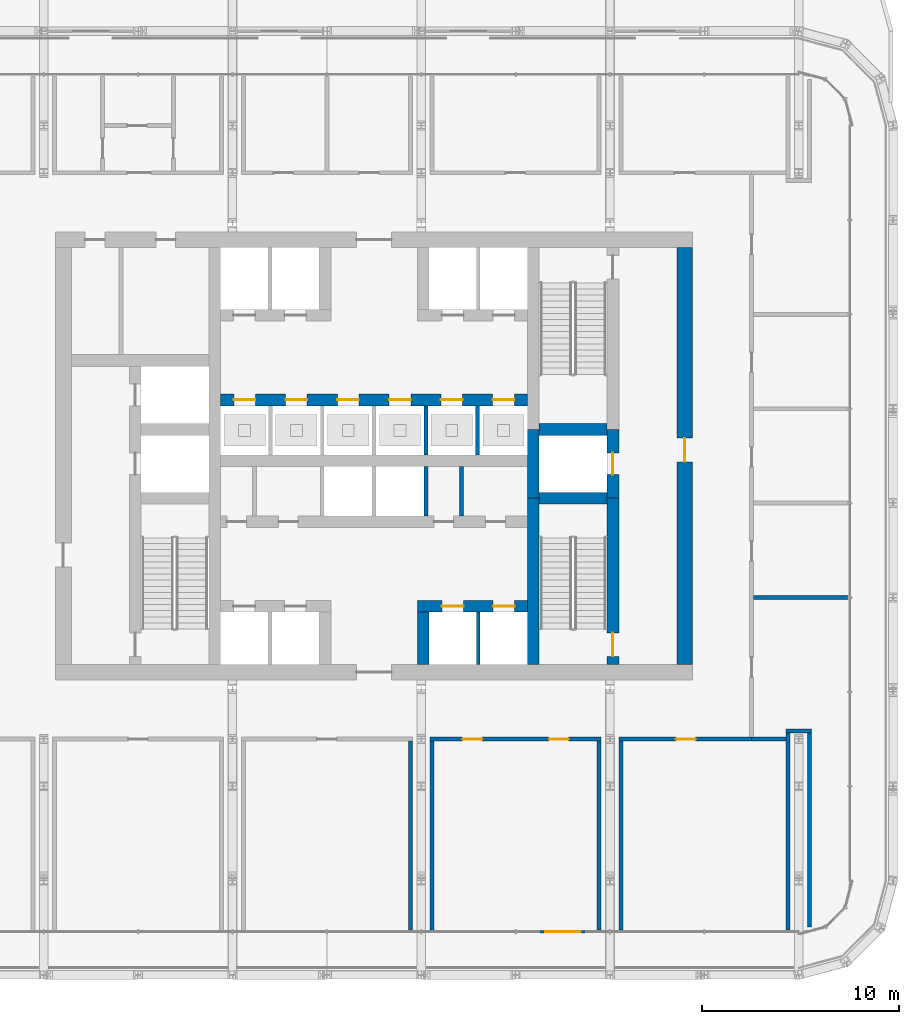
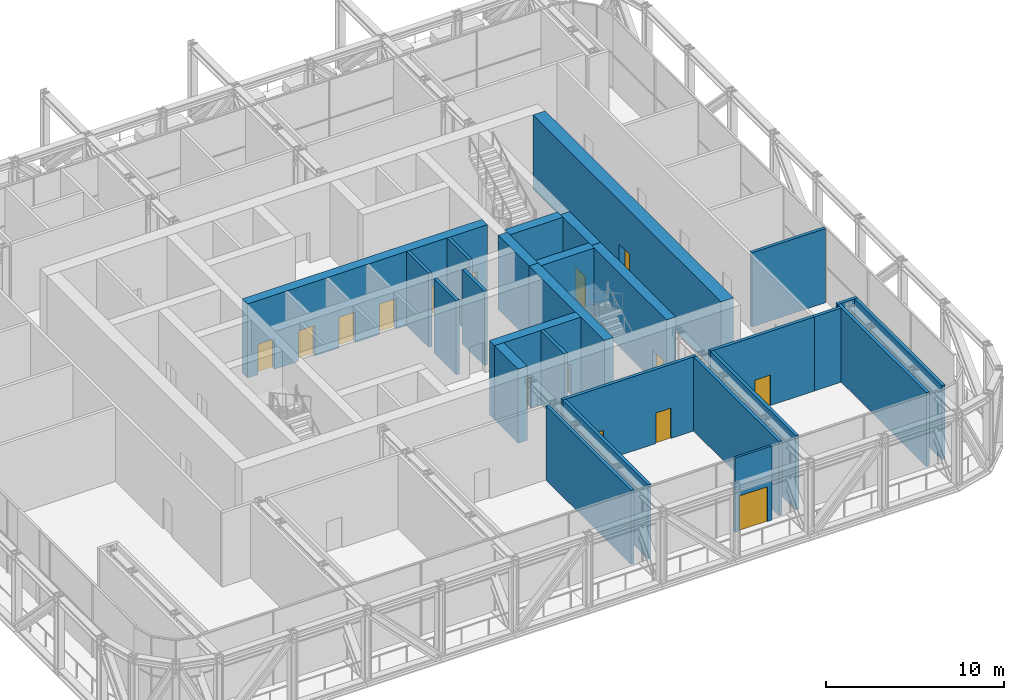
# One storey, part 17 of 27: 27 walls, 15 doors, 15 openings.
"""IFC4 building model written with IfcOpenShell, lengths in metres."""

from ifc_helpers import new_model, si_unit, direction, frame, frame_2d, origin, place, context, subcontext, project, spatial, rectangle, extrude, material, layer, layer_set, type_object, element, fill, save


model = new_model("IFC4")

# Units and contexts
model_context = context("Model", 3, precision=1e-05, world=origin(), true_north=direction((0.0, 1.0)))
body_context = subcontext(model_context, "Body", "Model", "MODEL_VIEW")
ifc_project = project(units=[si_unit("LENGTHUNIT", "METRE"), si_unit("AREAUNIT", "SQUARE_METRE"), si_unit("VOLUMEUNIT", "CUBIC_METRE"), si_unit("PLANEANGLEUNIT", "RADIAN"), si_unit("MASSUNIT", "GRAM", prefix="KILO")], contexts=[model_context])

# Site, building, storey
site_placement = place(None, origin())
site = spatial("IfcSite", under=ifc_project, at=site_placement, CompositionType="ELEMENT")
building_placement = place(site_placement, origin())
building = spatial("IfcBuilding", under=site, at=building_placement, Name="Madar Terraces", CompositionType="ELEMENT")
storey_placement = place(building_placement, frame((0.0, 0.0, 143.60009765625)))
storey = spatial("IfcBuildingStorey", under=building, at=storey_placement, Name="L37", CompositionType="ELEMENT", Elevation=143.60009765625)

# Walls
ifc_material_1 = material(Name="Concrete C70/85", Category="concrete")
ifc_layer_1 = layer(ifc_material_1, 0.60009765625)
ifc_layer_set_1 = layer_set([ifc_layer_1], Name="Concrete C70/85 (CIW3 RC wall 600)")
wall_type_1 = type_object("IfcWallType", Name="CIW3 RC wall 600", PredefinedType="SHEAR", material=ifc_layer_set_1)
wall_1_placement = place(storey_placement, frame((39.300048828125, 15.800048828125, 0.0), z_axis=(0.0, 0.0, 1.0), x_axis=(0.0, 1.0, 0.0)))
element("IfcWall", 1, at=wall_1_placement, inside=storey, type_object=wall_type_1, Name="CORE SHAFT WALL", PredefinedType="SHEAR", context=body_context, shape_type="SweptSolid", body=[
    extrude(rectangle(XDim=8.449951171875, YDim=0.60009765625, at=frame_2d((4.22509765625, 0.0))), origin(), (0.0, 0.0, 1.0), 5.099853515625),
])
wall_2_placement = place(storey_placement, frame((39.300048828125, 24.25, 0.0), z_axis=(0.0, 0.0, 1.0), x_axis=(0.0, 1.0, 0.0)))
element("IfcWall", 2, at=wall_2_placement, inside=storey, type_object=wall_type_1, Name="CORE SHAFT WALL", PredefinedType="SHEAR", context=body_context, shape_type="SweptSolid", body=[
    extrude(rectangle(XDim=3.5, YDim=0.60009765625, at=frame_2d((1.75, 0.0))), origin(), (0.0, 0.0, 1.0), 5.099853515625),
])

# Wall, opening, door
wall_3_placement = place(storey_placement, frame((43.35009765625, 15.800048828125, 0.0), z_axis=(0.0, 0.0, 1.0), x_axis=(0.0, 1.0, 0.0)))
wall_3 = element("IfcWall", 3, at=wall_3_placement, inside=storey, type_object=wall_type_1, Name="CORE SHAFT WALL", PredefinedType="SHEAR", context=body_context, shape_type="SweptSolid", body=[
    extrude(rectangle(XDim=8.449951171875, YDim=0.60009765625, at=frame_2d((4.22509765625, 0.0))), origin(), (0.0, 0.0, 1.0), 5.099853515625),
])
opening_1_placement = place(wall_3_placement, frame((0.39990234375, 0.0, 0.0)))
opening_1 = element("IfcOpeningElement", 4, at=opening_1_placement, cuts=wall_3, Name="Opening SD1", PredefinedType="OPENING", context=body_context, shape_type="SweptSolid", body=[
    extrude(rectangle(XDim=1.199951171875, YDim=2.10009765625, at=frame_2d((0.60009765625, 1.050048828125))), frame((0.0, 0.31005859375, 0.0), z_axis=(0.0, -1.0, 0.0), x_axis=(1.0, 0.0, 0.0)), (0.0, 0.0, 1.0), 0.6201171875),
])
ifc_material_2 = material(Name="Steel door leaf", Category="steel")
door_type_1 = type_object("IfcDoorType", Name="Stair door 1200 x 2100", OperationType="NOTDEFINED", PredefinedType="DOOR", material=ifc_material_2)
door_1_placement = place(opening_1_placement, origin())
door_1 = element("IfcDoor", 5, at=door_1_placement, inside=storey, type_object=door_type_1, Name="STAIR DOOR", OperationType="SINGLE_SWING_RIGHT", OverallHeight=2.10009765625, OverallWidth=1.199951171875, PredefinedType="DOOR", context=body_context, shape_type="SweptSolid", body=[
    extrude(rectangle(XDim=1.199951171875, YDim=2.10009765625, at=frame_2d((0.60009765625, 1.050048828125))), frame((0.0, 0.02490234375, 0.0), z_axis=(0.0, -1.0, 0.0), x_axis=(1.0, 0.0, 0.0)), (0.0, 0.0, 1.0), 0.050048828125),
])
fill(opening_1, door_1)

wall_4_placement = place(storey_placement, frame((43.35009765625, 24.25, 0.0), z_axis=(0.0, 0.0, 1.0), x_axis=(0.0, 1.0, 0.0)))
wall_4 = element("IfcWall", 6, at=wall_4_placement, inside=storey, type_object=wall_type_1, Name="CORE SHAFT WALL", PredefinedType="SHEAR", context=body_context, shape_type="SweptSolid", body=[
    extrude(rectangle(XDim=3.5, YDim=0.60009765625, at=frame_2d((1.75, 0.0))), origin(), (0.0, 0.0, 1.0), 5.099853515625),
])
opening_2_placement = place(wall_4_placement, frame((1.199951171875, 0.0, 0.0)))
opening_2 = element("IfcOpeningElement", 7, at=opening_2_placement, cuts=wall_4, Name="Opening LD", PredefinedType="OPENING", context=body_context, shape_type="SweptSolid", body=[
    extrude(rectangle(XDim=1.10009765625, YDim=2.10009765625, at=frame_2d((0.550048828125, 1.050048828125))), frame((0.0, 0.31005859375, 0.0), z_axis=(0.0, -1.0, 0.0), x_axis=(1.0, 0.0, 0.0)), (0.0, 0.0, 1.0), 0.6201171875),
])
ifc_material_3 = material(Name="Stainless steel panel", Category="steel")
door_type_2 = type_object("IfcDoorType", Name="Lift landing door 1100 x 2100", OperationType="DOUBLE_DOOR_SLIDING", PredefinedType="DOOR", material=ifc_material_3)
door_2_placement = place(opening_2_placement, origin())
door_2 = element("IfcDoor", 8, at=door_2_placement, inside=storey, type_object=door_type_2, Name="LIFT LANDING DOOR", OperationType="DOUBLE_DOOR_SLIDING", OverallHeight=2.10009765625, OverallWidth=1.10009765625, PredefinedType="DOOR", context=body_context, shape_type="SweptSolid", body=[
    extrude(rectangle(XDim=1.10009765625, YDim=2.10009765625, at=frame_2d((0.550048828125, 1.050048828125))), frame((0.0, 0.02490234375, 0.0), z_axis=(0.0, -1.0, 0.0), x_axis=(1.0, 0.0, 0.0)), (0.0, 0.0, 1.0), 0.050048828125),
])
fill(opening_2, door_2)

# Walls
for number, where, z_axis, x_axis, name in (
    (9, (39.60009765625, 24.25, 0.0), (0.0, 0.0, 1.0), (1.0, 0.0, 0.0), "CORE SHAFT WALL"),
    (10, (39.60009765625, 27.75, 0.0), (0.0, 0.0, 1.0), (1.0, 0.0, 0.0), "CORE SHAFT WALL"),
):
    element("IfcWall", number, at=place(storey_placement, frame(where, z_axis=z_axis, x_axis=x_axis)), inside=storey, type_object=wall_type_1, Name=name, PredefinedType="SHEAR", context=body_context, shape_type="SweptSolid", body=[
        extrude(rectangle(XDim=3.449951171875, YDim=0.60009765625, at=frame_2d((1.72509765625, 0.0))), origin(), (0.0, 0.0, 1.0), 5.099853515625),
    ])

# Wall, openings, doors
wall_5_placement = place(storey_placement, frame((33.39990234375, 18.75, 0.0), z_axis=(0.0, 0.0, 1.0), x_axis=(1.0, 0.0, 0.0)))
wall_5 = element("IfcWall", 11, at=wall_5_placement, inside=storey, type_object=wall_type_1, Name="CORE SHAFT WALL", PredefinedType="SHEAR", context=body_context, shape_type="SweptSolid", body=[
    extrude(rectangle(XDim=5.60009765625, YDim=0.60009765625, at=frame_2d((2.800048828125, 0.0))), origin(), (0.0, 0.0, 1.0), 5.099853515625),
])
opening_3_placement = place(wall_5_placement, frame((1.25, 0.0, 0.0)))
opening_3 = element("IfcOpeningElement", 12, at=opening_3_placement, cuts=wall_5, Name="Opening LD", PredefinedType="OPENING", context=body_context, shape_type="SweptSolid", body=[
    extrude(rectangle(XDim=1.10009765625, YDim=2.10009765625, at=frame_2d((0.550048828125, 1.050048828125))), frame((0.0, 0.31005859375, 0.0), z_axis=(0.0, -1.0, 0.0), x_axis=(1.0, 0.0, 0.0)), (0.0, 0.0, 1.0), 0.6201171875),
])
opening_4_placement = place(wall_5_placement, frame((3.85009765625, 0.0, 0.0)))
opening_4 = element("IfcOpeningElement", 13, at=opening_4_placement, cuts=wall_5, Name="Opening LD", PredefinedType="OPENING", context=body_context, shape_type="SweptSolid", body=[
    extrude(rectangle(XDim=1.10009765625, YDim=2.10009765625, at=frame_2d((0.550048828125, 1.050048828125))), frame((0.0, 0.31005859375, 0.0), z_axis=(0.0, -1.0, 0.0), x_axis=(1.0, 0.0, 0.0)), (0.0, 0.0, 1.0), 0.6201171875),
])
door_3_placement = place(opening_3_placement, origin())
door_3 = element("IfcDoor", 14, at=door_3_placement, inside=storey, type_object=door_type_2, Name="LIFT LANDING DOOR", OperationType="DOUBLE_DOOR_SLIDING", OverallHeight=2.10009765625, OverallWidth=1.10009765625, PredefinedType="DOOR", context=body_context, shape_type="SweptSolid", body=[
    extrude(rectangle(XDim=1.10009765625, YDim=2.10009765625, at=frame_2d((0.550048828125, 1.050048828125))), frame((0.0, 0.02490234375, 0.0), z_axis=(0.0, -1.0, 0.0), x_axis=(1.0, 0.0, 0.0)), (0.0, 0.0, 1.0), 0.050048828125),
])
fill(opening_3, door_3)
door_4_placement = place(opening_4_placement, origin())
door_4 = element("IfcDoor", 15, at=door_4_placement, inside=storey, type_object=door_type_2, Name="LIFT LANDING DOOR", OperationType="DOUBLE_DOOR_SLIDING", OverallHeight=2.10009765625, OverallWidth=1.10009765625, PredefinedType="DOOR", context=body_context, shape_type="SweptSolid", body=[
    extrude(rectangle(XDim=1.10009765625, YDim=2.10009765625, at=frame_2d((0.550048828125, 1.050048828125))), frame((0.0, 0.02490234375, 0.0), z_axis=(0.0, -1.0, 0.0), x_axis=(1.0, 0.0, 0.0)), (0.0, 0.0, 1.0), 0.050048828125),
])
fill(opening_4, door_4)

wall_6_placement = place(storey_placement, frame((23.39990234375, 29.25, 0.0), z_axis=(0.0, 0.0, 1.0), x_axis=(1.0, 0.0, 0.0)))
wall_6 = element("IfcWall", 16, at=wall_6_placement, inside=storey, type_object=wall_type_1, Name="CORE SHAFT WALL", PredefinedType="SHEAR", context=body_context, shape_type="SweptSolid", body=[
    extrude(rectangle(XDim=15.60009765625, YDim=0.60009765625, at=frame_2d((7.800048828125, 0.0))), origin(), (0.0, 0.0, 1.0), 5.099853515625),
])
opening_5_placement = place(wall_6_placement, frame((0.666748046875, 0.0, 0.0)))
opening_5 = element("IfcOpeningElement", 17, at=opening_5_placement, cuts=wall_6, Name="Opening LD", PredefinedType="OPENING", context=body_context, shape_type="SweptSolid", body=[
    extrude(rectangle(XDim=1.10009765625, YDim=2.10009765625, at=frame_2d((0.550048828125, 1.050048828125))), frame((0.0, 0.31005859375, 0.0), z_axis=(0.0, -1.0, 0.0), x_axis=(1.0, 0.0, 0.0)), (0.0, 0.0, 1.0), 0.6201171875),
])
opening_6_placement = place(wall_6_placement, frame((3.300048828125, 0.0, 0.0)))
opening_6 = element("IfcOpeningElement", 18, at=opening_6_placement, cuts=wall_6, Name="Opening LD", PredefinedType="OPENING", context=body_context, shape_type="SweptSolid", body=[
    extrude(rectangle(XDim=1.10009765625, YDim=2.10009765625, at=frame_2d((0.550048828125, 1.050048828125))), frame((0.0, 0.31005859375, 0.0), z_axis=(0.0, -1.0, 0.0), x_axis=(1.0, 0.0, 0.0)), (0.0, 0.0, 1.0), 0.6201171875),
])
opening_7_placement = place(wall_6_placement, frame((5.933349609375, 0.0, 0.0)))
opening_7 = element("IfcOpeningElement", 19, at=opening_7_placement, cuts=wall_6, Name="Opening LD", PredefinedType="OPENING", context=body_context, shape_type="SweptSolid", body=[
    extrude(rectangle(XDim=1.10009765625, YDim=2.10009765625, at=frame_2d((0.550048828125, 1.050048828125))), frame((0.0, 0.31005859375, 0.0), z_axis=(0.0, -1.0, 0.0), x_axis=(1.0, 0.0, 0.0)), (0.0, 0.0, 1.0), 0.6201171875),
])
opening_8_placement = place(wall_6_placement, frame((8.566650390625, 0.0, 0.0)))
opening_8 = element("IfcOpeningElement", 20, at=opening_8_placement, cuts=wall_6, Name="Opening LD", PredefinedType="OPENING", context=body_context, shape_type="SweptSolid", body=[
    extrude(rectangle(XDim=1.10009765625, YDim=2.10009765625, at=frame_2d((0.550048828125, 1.050048828125))), frame((0.0, 0.31005859375, 0.0), z_axis=(0.0, -1.0, 0.0), x_axis=(1.0, 0.0, 0.0)), (0.0, 0.0, 1.0), 0.6201171875),
])
opening_9_placement = place(wall_6_placement, frame((11.199951171875, 0.0, 0.0)))
opening_9 = element("IfcOpeningElement", 21, at=opening_9_placement, cuts=wall_6, Name="Opening LD", PredefinedType="OPENING", context=body_context, shape_type="SweptSolid", body=[
    extrude(rectangle(XDim=1.10009765625, YDim=2.10009765625, at=frame_2d((0.550048828125, 1.050048828125))), frame((0.0, 0.31005859375, 0.0), z_axis=(0.0, -1.0, 0.0), x_axis=(1.0, 0.0, 0.0)), (0.0, 0.0, 1.0), 0.6201171875),
])
opening_10_placement = place(wall_6_placement, frame((13.833251953125, 0.0, 0.0)))
opening_10 = element("IfcOpeningElement", 22, at=opening_10_placement, cuts=wall_6, Name="Opening LD", PredefinedType="OPENING", context=body_context, shape_type="SweptSolid", body=[
    extrude(rectangle(XDim=1.10009765625, YDim=2.10009765625, at=frame_2d((0.550048828125, 1.050048828125))), frame((0.0, 0.31005859375, 0.0), z_axis=(0.0, -1.0, 0.0), x_axis=(1.0, 0.0, 0.0)), (0.0, 0.0, 1.0), 0.6201171875),
])
door_5_placement = place(opening_5_placement, origin())
door_5 = element("IfcDoor", 23, at=door_5_placement, inside=storey, type_object=door_type_2, Name="LIFT LANDING DOOR", OperationType="DOUBLE_DOOR_SLIDING", OverallHeight=2.10009765625, OverallWidth=1.10009765625, PredefinedType="DOOR", context=body_context, shape_type="SweptSolid", body=[
    extrude(rectangle(XDim=1.10009765625, YDim=2.10009765625, at=frame_2d((0.550048828125, 1.050048828125))), frame((0.0, 0.02490234375, 0.0), z_axis=(0.0, -1.0, 0.0), x_axis=(1.0, 0.0, 0.0)), (0.0, 0.0, 1.0), 0.050048828125),
])
fill(opening_5, door_5)
door_6_placement = place(opening_6_placement, origin())
door_6 = element("IfcDoor", 24, at=door_6_placement, inside=storey, type_object=door_type_2, Name="LIFT LANDING DOOR", OperationType="DOUBLE_DOOR_SLIDING", OverallHeight=2.10009765625, OverallWidth=1.10009765625, PredefinedType="DOOR", context=body_context, shape_type="SweptSolid", body=[
    extrude(rectangle(XDim=1.10009765625, YDim=2.10009765625, at=frame_2d((0.550048828125, 1.050048828125))), frame((0.0, 0.02490234375, 0.0), z_axis=(0.0, -1.0, 0.0), x_axis=(1.0, 0.0, 0.0)), (0.0, 0.0, 1.0), 0.050048828125),
])
fill(opening_6, door_6)
door_7_placement = place(opening_7_placement, origin())
door_7 = element("IfcDoor", 25, at=door_7_placement, inside=storey, type_object=door_type_2, Name="LIFT LANDING DOOR", OperationType="DOUBLE_DOOR_SLIDING", OverallHeight=2.10009765625, OverallWidth=1.10009765625, PredefinedType="DOOR", context=body_context, shape_type="SweptSolid", body=[
    extrude(rectangle(XDim=1.10009765625, YDim=2.10009765625, at=frame_2d((0.550048828125, 1.050048828125))), frame((0.0, 0.02490234375, 0.0), z_axis=(0.0, -1.0, 0.0), x_axis=(1.0, 0.0, 0.0)), (0.0, 0.0, 1.0), 0.050048828125),
])
fill(opening_7, door_7)
door_8_placement = place(opening_8_placement, origin())
door_8 = element("IfcDoor", 26, at=door_8_placement, inside=storey, type_object=door_type_2, Name="LIFT LANDING DOOR", OperationType="DOUBLE_DOOR_SLIDING", OverallHeight=2.10009765625, OverallWidth=1.10009765625, PredefinedType="DOOR", context=body_context, shape_type="SweptSolid", body=[
    extrude(rectangle(XDim=1.10009765625, YDim=2.10009765625, at=frame_2d((0.550048828125, 1.050048828125))), frame((0.0, 0.02490234375, 0.0), z_axis=(0.0, -1.0, 0.0), x_axis=(1.0, 0.0, 0.0)), (0.0, 0.0, 1.0), 0.050048828125),
])
fill(opening_8, door_8)
door_9_placement = place(opening_9_placement, origin())
door_9 = element("IfcDoor", 27, at=door_9_placement, inside=storey, type_object=door_type_2, Name="LIFT LANDING DOOR", OperationType="DOUBLE_DOOR_SLIDING", OverallHeight=2.10009765625, OverallWidth=1.10009765625, PredefinedType="DOOR", context=body_context, shape_type="SweptSolid", body=[
    extrude(rectangle(XDim=1.10009765625, YDim=2.10009765625, at=frame_2d((0.550048828125, 1.050048828125))), frame((0.0, 0.02490234375, 0.0), z_axis=(0.0, -1.0, 0.0), x_axis=(1.0, 0.0, 0.0)), (0.0, 0.0, 1.0), 0.050048828125),
])
fill(opening_9, door_9)
door_10_placement = place(opening_10_placement, origin())
door_10 = element("IfcDoor", 28, at=door_10_placement, inside=storey, type_object=door_type_2, Name="LIFT LANDING DOOR", OperationType="DOUBLE_DOOR_SLIDING", OverallHeight=2.10009765625, OverallWidth=1.10009765625, PredefinedType="DOOR", context=body_context, shape_type="SweptSolid", body=[
    extrude(rectangle(XDim=1.10009765625, YDim=2.10009765625, at=frame_2d((0.550048828125, 1.050048828125))), frame((0.0, 0.02490234375, 0.0), z_axis=(0.0, -1.0, 0.0), x_axis=(1.0, 0.0, 0.0)), (0.0, 0.0, 1.0), 0.050048828125),
])
fill(opening_10, door_10)

# Wall
wall_7_placement = place(storey_placement, frame((33.699951171875, 15.800048828125, 0.0), z_axis=(0.0, 0.0, 1.0), x_axis=(0.0, 1.0, 0.0)))
element("IfcWall", 29, at=wall_7_placement, inside=storey, type_object=wall_type_1, Name="CORE SHAFT WALL", PredefinedType="SHEAR", context=body_context, shape_type="SweptSolid", body=[
    extrude(rectangle(XDim=2.64990234375, YDim=0.60009765625, at=frame_2d((1.324951171875, 0.0))), origin(), (0.0, 0.0, 1.0), 5.099853515625),
])

# Wall, opening, door
ifc_material_4 = material(Name="Concrete C70/85", Category="concrete")
ifc_layer_2 = layer(ifc_material_4, 0.800048828125)
ifc_layer_set_2 = layer_set([ifc_layer_2], Name="Concrete C70/85 (CRW3 RC wall 800)")
wall_type_2 = type_object("IfcWallType", Name="CRW3 RC wall 800", PredefinedType="SHEAR", material=ifc_layer_set_2)
wall_8_placement = place(storey_placement, frame((47.0, 15.800048828125, 0.0), z_axis=(0.0, 0.0, 1.0), x_axis=(0.0, 1.0, 0.0)))
wall_8 = element("IfcWall", 30, at=wall_8_placement, inside=storey, type_object=wall_type_2, Name="CORE OUTER WALL", PredefinedType="SHEAR", context=body_context, shape_type="SweptSolid", body=[
    extrude(rectangle(XDim=21.199951171875, YDim=0.800048828125, at=frame_2d((10.60009765625, 0.0))), origin(), (0.0, 0.0, 1.0), 5.099853515625),
])
opening_11_placement = place(wall_8_placement, frame((10.300048828125, 0.0, 0.0)))
opening_11 = element("IfcOpeningElement", 31, at=opening_11_placement, cuts=wall_8, Name="Opening SD1", PredefinedType="OPENING", context=body_context, shape_type="SweptSolid", body=[
    extrude(rectangle(XDim=1.199951171875, YDim=2.10009765625, at=frame_2d((0.60009765625, 1.050048828125))), frame((0.0, 0.409912109375, 0.0), z_axis=(0.0, -1.0, 0.0), x_axis=(1.0, 0.0, 0.0)), (0.0, 0.0, 1.0), 0.820068359375),
])
door_11_placement = place(opening_11_placement, origin())
door_11 = element("IfcDoor", 32, at=door_11_placement, inside=storey, type_object=door_type_1, Name="STAIR DOOR", OperationType="SINGLE_SWING_LEFT", OverallHeight=2.10009765625, OverallWidth=1.199951171875, PredefinedType="DOOR", context=body_context, shape_type="SweptSolid", body=[
    extrude(rectangle(XDim=1.199951171875, YDim=2.10009765625, at=frame_2d((0.60009765625, 1.050048828125))), frame((0.0, 0.02490234375, 0.0), z_axis=(0.0, -1.0, 0.0), x_axis=(1.0, 0.0, 0.0)), (0.0, 0.0, 1.0), 0.050048828125),
])
fill(opening_11, door_11)

# Walls
ifc_material_5 = material(Name="Masonry blockwork", Category="masonry")
ifc_layer_3 = layer(ifc_material_5, 0.199951171875)
ifc_layer_set_3 = layer_set([ifc_layer_3], Name="Core partition 200 blockwork")
wall_type_3 = type_object("IfcWallType", Name="Core partition 200 blockwork", PredefinedType="PARTITIONING", material=ifc_layer_set_3)
wall_9_placement = place(storey_placement, frame((35.656005859375, 23.35009765625, 0.0), z_axis=(0.0, 0.0, 1.0), x_axis=(0.0, 1.0, 0.0)))
element("IfcWall", 33, at=wall_9_placement, inside=storey, type_object=wall_type_3, Name="SERVICE ROOM PARTITION", PredefinedType="PARTITIONING", context=body_context, shape_type="SweptSolid", body=[
    extrude(rectangle(XDim=2.5, YDim=0.199951171875, at=frame_2d((1.25, 0.0))), origin(), (0.0, 0.0, 1.0), 5.099853515625),
])
ifc_material_6 = material(Name="Concrete C40/50", Category="concrete")
ifc_layer_4 = layer(ifc_material_6, 0.199951171875)
ifc_layer_set_4 = layer_set([ifc_layer_4], Name="Core shaft dividing wall 200 C40/50")
wall_type_4 = type_object("IfcWallType", Name="Core shaft dividing wall 200 C40/50", PredefinedType="SOLIDWALL", material=ifc_layer_set_4)
for number, where, z_axis, x_axis, name in (
    (34, (33.833251953125, 23.35009765625, 0.0), (0.0, 0.0, 1.0), (0.0, 1.0, 0.0), "SHAFT DIVIDING WALL"),
    (35, (33.833251953125, 26.449951171875, 0.0), (0.0, 0.0, 1.0), (0.0, 1.0, 0.0), "SHAFT DIVIDING WALL"),
    (36, (36.466552734375, 26.449951171875, 0.0), (0.0, 0.0, 1.0), (0.0, 1.0, 0.0), "SHAFT DIVIDING WALL"),
):
    element("IfcWall", number, at=place(storey_placement, frame(where, z_axis=z_axis, x_axis=x_axis)), inside=storey, type_object=wall_type_4, Name=name, PredefinedType="SOLIDWALL", context=body_context, shape_type="SweptSolid", body=[
        extrude(rectangle(XDim=2.5, YDim=0.199951171875, at=frame_2d((1.25, 0.0))), origin(), (0.0, 0.0, 1.0), 5.099853515625),
    ])
wall_10_placement = place(storey_placement, frame((36.5, 15.800048828125, 0.0), z_axis=(0.0, 0.0, 1.0), x_axis=(0.0, 1.0, 0.0)))
element("IfcWall", 37, at=wall_10_placement, inside=storey, type_object=wall_type_4, Name="SHAFT DIVIDING WALL", PredefinedType="SOLIDWALL", context=body_context, shape_type="SweptSolid", body=[
    extrude(rectangle(XDim=2.64990234375, YDim=0.199951171875, at=frame_2d((1.324951171875, 0.0))), origin(), (0.0, 0.0, 1.0), 5.099853515625),
])

# Wall, opening, door
ifc_material_7 = material(Name="Aluminium composite panel, black, over insulated backing", Category="aluminium")
ifc_layer_5 = layer(ifc_material_7, 0.14990234375)
ifc_layer_set_5 = layer_set([ifc_layer_5], Name="Facade bay panel 150")
wall_type_5 = type_object("IfcWallType", Name="Facade bay panel 150", PredefinedType="SOLIDWALL", material=ifc_layer_set_5)
wall_11_placement = place(storey_placement, frame((39.60009765625, 2.199951171875, 0.0), z_axis=(0.0, 0.0, 1.0), x_axis=(1.0, 0.0, 0.0)))
wall_11 = element("IfcWall", 38, at=wall_11_placement, inside=storey, type_object=wall_type_5, Name="Facade bay panel", PredefinedType="SOLIDWALL", context=body_context, shape_type="SweptSolid", body=[
    extrude(rectangle(XDim=2.39990234375, YDim=0.14990234375, at=frame_2d((1.199951171875, 0.0))), origin(), (0.0, 0.0, 1.0), 5.099853515625),
])
opening_12_placement = place(wall_11_placement, frame((0.300048828125, 0.0, 0.0)))
opening_12 = element("IfcOpeningElement", 39, at=opening_12_placement, cuts=wall_11, Name="Opening ED1", PredefinedType="OPENING", context=body_context, shape_type="SweptSolid", body=[
    extrude(rectangle(XDim=1.800048828125, YDim=2.39990234375, at=frame_2d((0.89990234375, 1.199951171875))), frame((0.0, 0.0849609375, 0.0), z_axis=(0.0, -1.0, 0.0), x_axis=(1.0, 0.0, 0.0)), (0.0, 0.0, 1.0), 0.169921875),
])
ifc_material_8 = material(Name="Glass, clear, with black aluminium frame", Category="aluminium")
door_type_3 = type_object("IfcDoorType", Name="Balcony and terrace sliding door 1800 x 2400", OperationType="SLIDING_TO_LEFT", PredefinedType="DOOR", material=ifc_material_8)
door_12_placement = place(opening_12_placement, origin())
door_12 = element("IfcDoor", 40, at=door_12_placement, inside=storey, type_object=door_type_3, Name="Balcony door", OperationType="SLIDING_TO_LEFT", OverallHeight=2.39990234375, OverallWidth=1.800048828125, PredefinedType="DOOR", context=body_context, shape_type="SweptSolid", body=[
    extrude(rectangle(XDim=1.800048828125, YDim=2.39990234375, at=frame_2d((0.89990234375, 1.199951171875))), frame((0.0, 0.02490234375, 0.0), z_axis=(0.0, -1.0, 0.0), x_axis=(1.0, 0.0, 0.0)), (0.0, 0.0, 1.0), 0.050048828125),
])
fill(opening_12, door_12)

# Wall
ifc_material_9 = material(Name="Gypsum board partition, fire-rated")
ifc_layer_6 = layer(ifc_material_9, 0.199951171875)
ifc_layer_set_6 = layer_set([ifc_layer_6], Name="Partition 200 EI 60")
wall_type_6 = type_object("IfcWallType", Name="Partition 200 EI 60", PredefinedType="PARTITIONING", material=ifc_layer_set_6)
wall_12_placement = place(storey_placement, frame((50.39990234375, 12.0, 0.0), z_axis=(0.0, 0.0, 1.0), x_axis=(1.0, 0.0, 0.0)))
element("IfcWall", 41, at=wall_12_placement, inside=storey, type_object=wall_type_6, Name="Wall WORKSHOP / STAFF ROOM", PredefinedType="PARTITIONING", context=body_context, shape_type="SweptSolid", body=[
    extrude(rectangle(XDim=1.75, YDim=0.199951171875, at=frame_2d((0.875, 0.0))), origin(), (0.0, 0.0, 1.0), 5.099853515625),
])

# Wall, openings, doors
wall_13_placement = place(storey_placement, frame((34.050048828125, 12.0, 0.0), z_axis=(0.0, 0.0, 1.0), x_axis=(1.0, 0.0, 0.0)))
wall_13 = element("IfcWall", 42, at=wall_13_placement, inside=storey, type_object=wall_type_6, Name="Wall COMMUNITY HALL / RING CORRIDOR", PredefinedType="PARTITIONING", context=body_context, shape_type="SweptSolid", body=[
    extrude(rectangle(XDim=8.699951171875, YDim=0.199951171875, at=frame_2d((4.35009765625, 0.0))), origin(), (0.0, 0.0, 1.0), 5.099853515625),
])
opening_13_placement = place(wall_13_placement, frame((6.050048828125, 0.0, 0.0)))
opening_13 = element("IfcOpeningElement", 43, at=opening_13_placement, cuts=wall_13, Name="Opening D31", PredefinedType="OPENING", context=body_context, shape_type="SweptSolid", body=[
    extrude(rectangle(XDim=1.0, YDim=2.10009765625, at=frame_2d((0.5, 1.050048828125))), frame((0.0, 0.10986328125, 0.0), z_axis=(0.0, -1.0, 0.0), x_axis=(1.0, 0.0, 0.0)), (0.0, 0.0, 1.0), 0.219970703125),
])
opening_14_placement = place(wall_13_placement, frame((1.64990234375, 0.0, 0.0)))
opening_14 = element("IfcOpeningElement", 44, at=opening_14_placement, cuts=wall_13, Name="Opening D31", PredefinedType="OPENING", context=body_context, shape_type="SweptSolid", body=[
    extrude(rectangle(XDim=1.0, YDim=2.10009765625, at=frame_2d((0.5, 1.050048828125))), frame((0.0, 0.10986328125, 0.0), z_axis=(0.0, -1.0, 0.0), x_axis=(1.0, 0.0, 0.0)), (0.0, 0.0, 1.0), 0.219970703125),
])
ifc_material_10 = material(Name="Timber door leaf, fire-rated", Category="wood")
door_type_4 = type_object("IfcDoorType", Name="Podium door 1000 x 2100 FD30S", OperationType="NOTDEFINED", PredefinedType="DOOR", material=ifc_material_10)
door_13_placement = place(opening_13_placement, origin())
door_13 = element("IfcDoor", 45, at=door_13_placement, inside=storey, type_object=door_type_4, Name="Door COMMUNITY HALL / RING CORRIDOR", OperationType="SINGLE_SWING_RIGHT", OverallHeight=2.10009765625, OverallWidth=1.0, PredefinedType="DOOR", context=body_context, shape_type="SweptSolid", body=[
    extrude(rectangle(XDim=1.0, YDim=2.10009765625, at=frame_2d((0.5, 1.050048828125))), frame((0.0, 0.02490234375, 0.0), z_axis=(0.0, -1.0, 0.0), x_axis=(1.0, 0.0, 0.0)), (0.0, 0.0, 1.0), 0.050048828125),
])
fill(opening_13, door_13)
door_14_placement = place(opening_14_placement, origin())
door_14 = element("IfcDoor", 46, at=door_14_placement, inside=storey, type_object=door_type_4, Name="Door COMMUNITY HALL / RING CORRIDOR", OperationType="SINGLE_SWING_LEFT", OverallHeight=2.10009765625, OverallWidth=1.0, PredefinedType="DOOR", context=body_context, shape_type="SweptSolid", body=[
    extrude(rectangle(XDim=1.0, YDim=2.10009765625, at=frame_2d((0.5, 1.050048828125))), frame((0.0, 0.02490234375, 0.0), z_axis=(0.0, -1.0, 0.0), x_axis=(1.0, 0.0, 0.0)), (0.0, 0.0, 1.0), 0.050048828125),
])
fill(opening_14, door_14)

# Wall, opening, door
wall_14_placement = place(storey_placement, frame((50.39990234375, 12.0, 0.0), z_axis=(0.0, 0.0, 1.0), x_axis=(-1.0, 0.0, 0.0)))
wall_14 = element("IfcWall", 47, at=wall_14_placement, inside=storey, type_object=wall_type_6, Name="Wall WORKSHOP / RING CORRIDOR", PredefinedType="PARTITIONING", context=body_context, shape_type="SweptSolid", body=[
    extrude(rectangle(XDim=6.75, YDim=0.199951171875, at=frame_2d((3.375, 0.0))), origin(), (0.0, 0.0, 1.0), 5.099853515625),
])
opening_15_placement = place(wall_14_placement, frame((2.85009765625, 0.0, 0.0)))
opening_15 = element("IfcOpeningElement", 48, at=opening_15_placement, cuts=wall_14, Name="Opening D31", PredefinedType="OPENING", context=body_context, shape_type="SweptSolid", body=[
    extrude(rectangle(XDim=1.0, YDim=2.10009765625, at=frame_2d((0.5, 1.050048828125))), frame((0.0, 0.10986328125, 0.0), z_axis=(0.0, -1.0, 0.0), x_axis=(1.0, 0.0, 0.0)), (0.0, 0.0, 1.0), 0.219970703125),
])
door_15_placement = place(opening_15_placement, origin())
door_15 = element("IfcDoor", 49, at=door_15_placement, inside=storey, type_object=door_type_4, Name="Door WORKSHOP / RING CORRIDOR", OperationType="SINGLE_SWING_LEFT", OverallHeight=2.10009765625, OverallWidth=1.0, PredefinedType="DOOR", context=body_context, shape_type="SweptSolid", body=[
    extrude(rectangle(XDim=1.0, YDim=2.10009765625, at=frame_2d((0.5, 1.050048828125))), frame((0.0, 0.02490234375, 0.0), z_axis=(0.0, -1.0, 0.0), x_axis=(1.0, 0.0, 0.0)), (0.0, 0.0, 1.0), 0.050048828125),
])
fill(opening_15, door_15)

# Walls
wall_15_placement = place(storey_placement, frame((50.5, 19.199951171875, 0.0), z_axis=(0.0, 0.0, 1.0), x_axis=(1.0, 0.0, 0.0)))
element("IfcWall", 50, at=wall_15_placement, inside=storey, type_object=wall_type_6, Name="Wall STAFF ROOM / OFFICE", PredefinedType="PARTITIONING", context=body_context, shape_type="SweptSolid", body=[
    extrude(rectangle(XDim=4.800048828125, YDim=0.199951171875, at=frame_2d((2.39990234375, 0.0))), origin(), (0.0, 0.0, 1.0), 5.099853515625),
])
ifc_material_11 = material(Name="Gypsum board partition on metal studs")
ifc_layer_7 = layer(ifc_material_11, 0.199951171875)
ifc_layer_set_7 = layer_set([ifc_layer_7], Name="Partition 200 plain")
wall_type_7 = type_object("IfcWallType", Name="Partition 200 plain", PredefinedType="PARTITIONING", material=ifc_layer_set_7)
wall_16_placement = place(storey_placement, frame((52.14990234375, 12.39990234375, 0.0), z_axis=(0.0, 0.0, 1.0), x_axis=(1.0, 0.0, 0.0)))
element("IfcWall", 51, at=wall_16_placement, inside=storey, type_object=wall_type_7, Name="Wall STAFF ROOM / TRUSS SLOT", PredefinedType="PARTITIONING", context=body_context, shape_type="SweptSolid", body=[
    extrude(rectangle(XDim=1.300048828125, YDim=0.199951171875, at=frame_2d((0.64990234375, 0.0))), origin(), (0.0, 0.0, 1.0), 5.099853515625),
])
for number, where, z_axis, x_axis, name in (
    (52, (33.050048828125, 2.300048828125, 0.0), (0.0, 0.0, 1.0), (0.0, 1.0, 0.0), "Wall OFFICE / TRUSS SLOT"),
    (53, (34.14990234375, 2.300048828125, 0.0), (0.0, 0.0, 1.0), (0.0, 1.0, 0.0), "Wall COMMUNITY HALL / TRUSS SLOT"),
    (54, (42.64990234375, 2.300048828125, 0.0), (0.0, 0.0, 1.0), (0.0, 1.0, 0.0), "Wall COMMUNITY HALL / TRUSS SLOT"),
    (55, (43.75, 2.300048828125, 0.0), (0.0, 0.0, 1.0), (0.0, 1.0, 0.0), "Wall WORKSHOP / TRUSS SLOT"),
):
    element("IfcWall", number, at=place(storey_placement, frame(where, z_axis=z_axis, x_axis=x_axis)), inside=storey, type_object=wall_type_7, Name=name, PredefinedType="PARTITIONING", context=body_context, shape_type="SweptSolid", body=[
        extrude(rectangle(XDim=9.599853515625, YDim=0.199951171875, at=frame_2d((4.7998046875, 0.0))), origin(), (0.0, 0.0, 1.0), 5.099853515625),
    ])
wall_17_placement = place(storey_placement, frame((52.25, 2.300048828125, 0.0), z_axis=(0.0, 0.0, 1.0), x_axis=(0.0, 1.0, 0.0)))
element("IfcWall", 56, at=wall_17_placement, inside=storey, type_object=wall_type_7, Name="Wall STAFF ROOM + WORKSHOP", PredefinedType="PARTITIONING", context=body_context, shape_type="SweptSolid", body=[
    extrude(rectangle(XDim=10.0, YDim=0.199951171875, at=frame_2d((5.0, 0.0))), origin(), (0.0, 0.0, 1.0), 5.099853515625),
])
wall_18_placement = place(storey_placement, frame((53.35009765625, 2.449951171875, 0.0), z_axis=(0.0, 0.0, 1.0), x_axis=(0.0, 1.0, 0.0)))
element("IfcWall", 57, at=wall_18_placement, inside=storey, type_object=wall_type_7, Name="Wall STAFF ROOM / TRUSS SLOT", PredefinedType="PARTITIONING", context=body_context, shape_type="SweptSolid", body=[
    extrude(rectangle(XDim=9.85009765625, YDim=0.199951171875, at=frame_2d((4.925048828125, 0.0))), origin(), (0.0, 0.0, 1.0), 5.099853515625),
])

save(model, "model.ifc")
